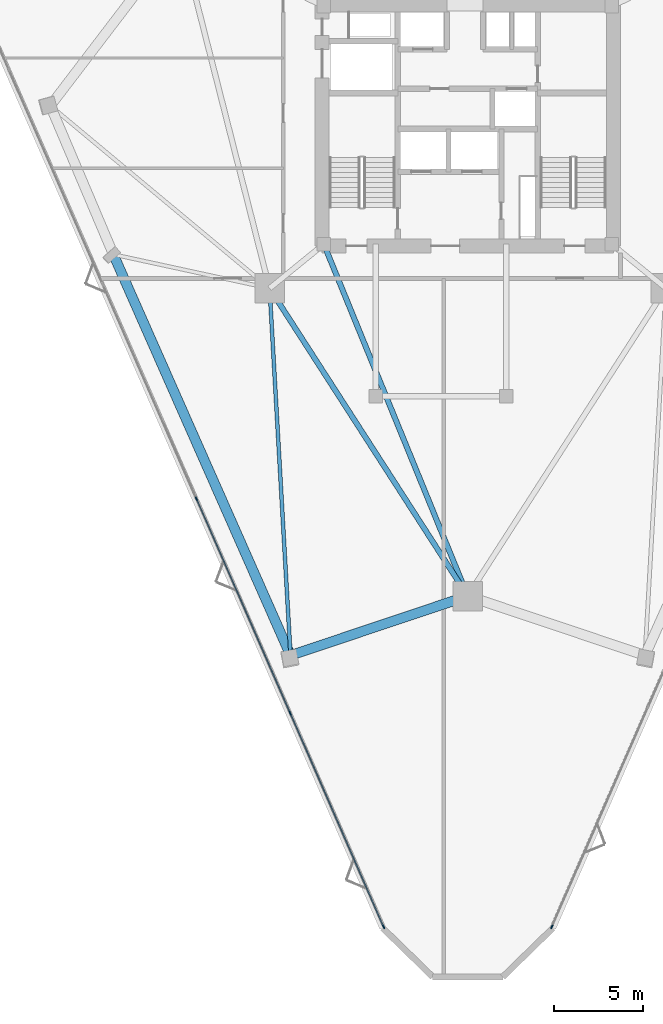
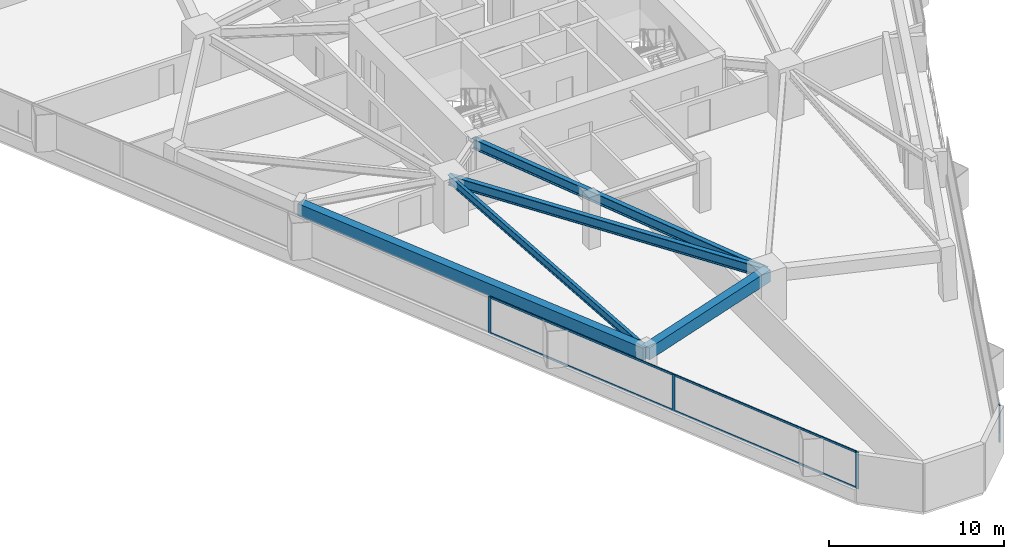
# One storey, part 2 of 14: 8 members, 5 beams, 2 elements without a shape of their own.
"""IFC4 building model written with IfcOpenShell, lengths in metres."""

import ifcopenshell
import ifcopenshell.guid

model = None  # the IFC model being written
_history = None  # IfcOwnerHistory: only IFC2X3 demands one
_inside = {}  # id of a spatial element -> (the spatial element, [elements in it])
_under = {}  # id of a project, library or spatial element -> (it, [spatial elements below it])
_declared = {}  # id of a project -> (the project, [libraries it declares])
_typed = {}  # id of a type object -> (the type object, [elements of that type])
_made_of = {}  # id of a material, layer set ... -> (it, [elements and type objects made of it])


def new_model(schema):
    """Start an empty IFC model of exactly this schema.

    Asked for "IFC4X3", IfcOpenShell would pick the latest addendum, in which some entities
    have other attributes; the version numbers below select the first issue.
    IFC2X3 requires an IfcOwnerHistory on every rooted entity: one is made here for all.
    """
    global model, _history
    if schema == "IFC4X3":
        model = ifcopenshell.file(schema_version=(4, 3, 0, 0))
    else:
        model = ifcopenshell.file(schema=schema)
    _inside.clear()
    _under.clear()
    _declared.clear()
    _typed.clear()
    _made_of.clear()
    _history = None
    if model.schema == "IFC2X3":
        org = make("IfcOrganization", Name="unknown")
        user = make(
            "IfcPersonAndOrganization",
            ThePerson=make("IfcPerson", FamilyName="unknown"),
            TheOrganization=org,
        )
        app = make(
            "IfcApplication",
            ApplicationDeveloper=org,
            Version="unknown",
            ApplicationFullName="unknown",
            ApplicationIdentifier="unknown",
        )
        _history = make(
            "IfcOwnerHistory",
            OwningUser=user,
            OwningApplication=app,
            ChangeAction="ADDED",
            CreationDate=0,
        )
    return model


def make(cls, **values):
    """One entity of the class cls with the attributes given. An attribute that is None is left unset."""
    return model.create_entity(
        cls, **{name: value for name, value in values.items() if value is not None}
    )


def rooted(cls, **values):
    """An entity with a GlobalId (a new one), such as an element, a storey or a relation."""
    return make(cls, GlobalId=ifcopenshell.guid.new(), OwnerHistory=_history, **values)


def si_unit(unit_type, name, prefix=None):
    """IfcSIUnit, for example si_unit("LENGTHUNIT", "METRE", prefix="MILLI")."""
    return make("IfcSIUnit", UnitType=unit_type, Prefix=prefix, Name=name)


def assignment(units):
    """IfcUnitAssignment: the units of a project."""
    return None if units is None else make("IfcUnitAssignment", Units=units)


def point(xyz):
    """IfcCartesianPoint."""
    return None if xyz is None else make("IfcCartesianPoint", Coordinates=xyz)


def direction(xyz):
    """IfcDirection."""
    return None if xyz is None else make("IfcDirection", DirectionRatios=xyz)


def frame(location, z_axis=None, x_axis=None):
    """IfcAxis2Placement3D, a coordinate frame: its origin and axes. An axis left out is left unset."""
    return make(
        "IfcAxis2Placement3D",
        Location=point(location),
        Axis=direction(z_axis),
        RefDirection=direction(x_axis),
    )


def frame_2d(location, x_axis=None):
    """IfcAxis2Placement2D, a coordinate frame in the plane: its origin and x axis."""
    return make(
        "IfcAxis2Placement2D", Location=point(location), RefDirection=direction(x_axis)
    )


def origin():
    """The frame at (0, 0, 0) with its axes left unset."""
    return frame((0.0, 0.0, 0.0))


def origin_2d():
    """The frame at (0, 0) in the plane with its x axis left unset."""
    return frame_2d((0.0, 0.0))


def place(relative_to, where):
    """IfcLocalPlacement: puts the frame where relative to a parent placement (None: the world)."""
    return make(
        "IfcLocalPlacement", PlacementRelTo=relative_to, RelativePlacement=where
    )


def context(
    kind, dimensions, precision=None, world=None, true_north=None, identifier=None
):
    """IfcGeometricRepresentationContext, for example the 3D "Model" context."""
    return make(
        "IfcGeometricRepresentationContext",
        ContextIdentifier=identifier,
        ContextType=kind,
        CoordinateSpaceDimension=dimensions,
        Precision=precision,
        WorldCoordinateSystem=world,
        TrueNorth=true_north,
    )


def subcontext(parent, identifier, kind, view, scale=None):
    """IfcGeometricRepresentationSubContext, for example "Body" below "Model"."""
    return make(
        "IfcGeometricRepresentationSubContext",
        ContextIdentifier=identifier,
        ContextType=kind,
        ParentContext=parent,
        TargetScale=scale,
        TargetView=view,
    )


def project(units=None, contexts=None):
    """IfcProject with its units and contexts."""
    return rooted(
        "IfcProject",
        Name="project",
        RepresentationContexts=contexts,
        UnitsInContext=assignment(units),
    )


def spatial(cls, under=None, at=None, **own):
    """A site, building, storey or space (cls), placed at a placement, below another one or the project."""
    s = rooted(cls, ObjectPlacement=at, **own)
    if under is not None:
        _under.setdefault(under.id(), (under, []))[1].append(s)
    return s


def profile(cls, at=None, kind="AREA", **sizes):
    """A parametric profile (cls). Its sizes go by their IFC names, for example OverallWidth=200.0."""
    return make(cls, ProfileType=kind, Position=at, **sizes)


def rectangle(**sizes):
    """IfcRectangleProfileDef."""
    return profile("IfcRectangleProfileDef", **sizes)


def i_section(**sizes):
    """IfcIShapeProfileDef."""
    return profile("IfcIShapeProfileDef", **sizes)


def extrude(swept, where, along, depth):
    """IfcExtrudedAreaSolid: the profile swept, set in the frame where, extruded along a direction by depth."""
    return make(
        "IfcExtrudedAreaSolid",
        SweptArea=swept,
        Position=where,
        ExtrudedDirection=direction(along),
        Depth=depth,
    )


def shape(context_of_items, identifier, shape_type, items):
    """IfcShapeRepresentation: the items that make up one representation, for example the "Body"."""
    return make(
        "IfcShapeRepresentation",
        ContextOfItems=context_of_items,
        RepresentationIdentifier=identifier,
        RepresentationType=shape_type,
        Items=items,
    )


def material(Name=None, Category=None):
    """IfcMaterial."""
    return make("IfcMaterial", Name=Name, Category=Category)


def layer(
    of_material, thickness, ventilated=None, Name=None, Category=None, Priority=None
):
    """IfcMaterialLayer: one layer of a wall or slab, of a material (None: an air gap)."""
    return make(
        "IfcMaterialLayer",
        Material=of_material,
        LayerThickness=thickness,
        IsVentilated=ventilated,
        Name=Name,
        Category=Category,
        Priority=Priority,
    )


def layer_set(layers, Name=None):
    """IfcMaterialLayerSet."""
    return make("IfcMaterialLayerSet", MaterialLayers=layers, LayerSetName=Name)


def material_profile(
    of_material, cross_section, Name=None, Category=None, Priority=None
):
    """IfcMaterialProfile: a cross section and its material."""
    return make(
        "IfcMaterialProfile",
        Name=Name,
        Material=of_material,
        Profile=cross_section,
        Priority=Priority,
        Category=Category,
    )


def profile_set(profiles, Name=None, composite=None):
    """IfcMaterialProfileSet."""
    return make(
        "IfcMaterialProfileSet",
        Name=Name,
        MaterialProfiles=profiles,
        CompositeProfile=composite,
    )


def made_of(thing, what):
    """Note that an element or type object is made of a material, layer set ...; save() writes the relation."""
    if what is not None:
        _made_of.setdefault(what.id(), (what, []))[1].append(thing)
    return thing


def type_object(cls, material=None, **own):
    """A type object (cls), such as IfcWallType, which elements share."""
    return made_of(rooted(cls, **own), material)


def element(
    cls,
    number,
    at=None,
    inside=None,
    cuts=None,
    type_object=None,
    material=None,
    context=None,
    identifier="Body",
    shape_type=None,
    held_by="IfcProductDefinitionShape",
    body=None,
    shapes=None,
    **own,
):
    """One element of the class cls, such as IfcWall. Its Tag is "e" and its number.

    at: its placement. inside: the storey or other place that contains it. cuts: it is an
    opening in that element (IfcRelVoidsElement). A single representation is given by context,
    identifier, shape_type and body (its items); several are given by shapes. held_by: the class
    of the entity that holds the representations. save() writes the other relations.
    """
    e = rooted(cls, Tag="e%d" % number, ObjectPlacement=at, **own)
    if body is not None:
        shapes = [shape(context, identifier, shape_type, body)]
    if shapes is not None:
        e.Representation = make(held_by, Representations=shapes)
    if inside is not None:
        _inside.setdefault(inside.id(), (inside, []))[1].append(e)
    if cuts is not None:
        rooted(
            "IfcRelVoidsElement", RelatingBuildingElement=cuts, RelatedOpeningElement=e
        )
    if type_object is not None:
        _typed.setdefault(type_object.id(), (type_object, []))[1].append(e)
    return made_of(e, material)


def aggregate(whole, parts):
    """IfcRelAggregates: a whole, such as a stair, and the parts it consists of."""
    return rooted("IfcRelAggregates", RelatingObject=whole, RelatedObjects=parts)


def save(model, path):
    """Write the relations noted so far, then the file.

    IfcRelAggregates (storeys below a building ...), IfcRelContainedInSpatialStructure (elements
    in a storey), IfcRelDefinesByType, IfcRelAssociatesMaterial and IfcRelDeclares: one each for
    every whole, place, type object, material and project.
    """
    for whole, parts in _under.values():
        aggregate(whole, parts)
    for where, things in _inside.values():
        rooted(
            "IfcRelContainedInSpatialStructure",
            RelatedElements=things,
            RelatingStructure=where,
        )
    for kind, things in _typed.values():
        rooted("IfcRelDefinesByType", RelatedObjects=things, RelatingType=kind)
    for what, things in _made_of.values():
        rooted("IfcRelAssociatesMaterial", RelatedObjects=things, RelatingMaterial=what)
    for by, libraries in _declared.values():
        rooted("IfcRelDeclares", RelatingContext=by, RelatedDefinitions=libraries)
    model.write(path)


model = new_model("IFC4")

# Units and contexts
model_context = context("Model", 3, precision=1e-05, world=origin(), true_north=direction((0.0, 1.0)))
body_context = subcontext(model_context, "Body", "Model", "MODEL_VIEW")
ifc_project = project(units=[si_unit("LENGTHUNIT", "METRE"), si_unit("AREAUNIT", "SQUARE_METRE"), si_unit("VOLUMEUNIT", "CUBIC_METRE"), si_unit("PLANEANGLEUNIT", "RADIAN"), si_unit("MASSUNIT", "GRAM", prefix="KILO")], contexts=[model_context])

# Site, building, storey
site_placement = place(None, origin())
site = spatial("IfcSite", under=ifc_project, at=site_placement, CompositionType="ELEMENT")
building_placement = place(site_placement, origin())
building = spatial("IfcBuilding", under=site, at=building_placement, Name="Talyreon Biosciences Tower", CompositionType="ELEMENT")
storey_placement = place(building_placement, frame((0.0, 0.0, 96.89990234375)))
storey = spatial("IfcBuildingStorey", under=building, at=storey_placement, Name="L25", CompositionType="ELEMENT", Elevation=96.89990234375)

# Curtain wall, member
ifc_material_1 = material(Name="Thermally broken aluminium and low-E glazing", Category="aluminium")
ifc_layer = layer(ifc_material_1, 0.205078125)
ifc_layer_set = layer_set([ifc_layer], Name="Thermally broken aluminium and low-E glazing")
curtain_wall_type = type_object("IfcCurtainWallType", Name="CurtainWall_SkyGardenLoggia", PredefinedType="NOTDEFINED", material=ifc_layer_set)
curtain_wall_1_placement = place(storey_placement, origin())
curtain_wall_1 = element("IfcCurtainWall", 1, at=curtain_wall_1_placement, inside=storey, type_object=curtain_wall_type, Name="L25 Unitised Curtain Wall FCW-L25-11", PredefinedType="NOTDEFINED")
ifc_material_2 = material(Name="Anodised thermally broken aluminium", Category="aluminium")
ifc_material_profile_1 = material_profile(ifc_material_2, rectangle(XDim=0.074951171875, YDim=0.2099609375, at=origin_2d()), Name="ALUM MULLION 75x210")
ifc_profile_set_1 = profile_set([ifc_material_profile_1], Name="Anodised thermally broken aluminium")
member_type_1 = type_object("IfcMemberType", Name="CWMullion_75x210", PredefinedType="MULLION", material=ifc_profile_set_1)
member_1_placement = place(storey_placement, frame((70.706298828125, 23.157958984375, 0.81005859375), z_axis=(0.0, 0.0, 1.0), x_axis=(0.916278652773, -0.400541421669, 0.0)))
member_1 = element("IfcMember", 2, at=member_1_placement, type_object=member_type_1, Name="CW7 mullion 3", PredefinedType="MULLION", context=body_context, shape_type="SweptSolid", body=[
    extrude(rectangle(XDim=0.074951171875, YDim=0.2099609375, at=origin_2d()), origin(), (0.0, 0.0, 1.0), 2.56494140625),
])
aggregate(curtain_wall_1, [member_1])

# Curtain wall, members
curtain_wall_2_placement = place(storey_placement, origin())
curtain_wall_2 = element("IfcCurtainWall", 3, at=curtain_wall_2_placement, inside=storey, type_object=curtain_wall_type, Name="L25 Unitised Curtain Wall FCW-L25-15", PredefinedType="NOTDEFINED")
member_2_placement = place(storey_placement, frame((61.293701171875, 23.157958984375, 0.81005859375), z_axis=(0.0, 0.0, 1.0), x_axis=(-0.916278218967, -0.400542414041, 0.0)))
member_2 = element("IfcMember", 4, at=member_2_placement, type_object=member_type_1, Name="CW7 mullion 1", PredefinedType="MULLION", context=body_context, shape_type="SweptSolid", body=[
    extrude(rectangle(XDim=0.074951171875, YDim=0.2099609375, at=origin_2d()), origin(), (0.0, 0.0, 1.0), 2.56494140625),
])
member_3_placement = place(storey_placement, frame((56.06494140625, 35.119384765625, 0.81005859375), z_axis=(0.0, 0.0, 1.0), x_axis=(-0.916278218967, -0.400542414041, 0.0)))
member_3 = element("IfcMember", 5, at=member_3_placement, type_object=member_type_1, Name="CW7 mullion 2", PredefinedType="MULLION", context=body_context, shape_type="SweptSolid", body=[
    extrude(rectangle(XDim=0.074951171875, YDim=0.2099609375, at=origin_2d()), origin(), (0.0, 0.0, 1.0), 2.56494140625),
])
member_4_placement = place(storey_placement, frame((50.821044921875, 47.115234375, 0.81005859375), z_axis=(0.0, 0.0, 1.0), x_axis=(-0.916278218967, -0.400542414041, 0.0)))
member_4 = element("IfcMember", 6, at=member_4_placement, type_object=member_type_1, Name="CW7 mullion 3", PredefinedType="MULLION", context=body_context, shape_type="SweptSolid", body=[
    extrude(rectangle(XDim=0.074951171875, YDim=0.2099609375, at=origin_2d()), origin(), (0.0, 0.0, 1.0), 2.56494140625),
])
ifc_material_profile_2 = material_profile(ifc_material_2, rectangle(XDim=0.06494140625, YDim=0.139892578125, at=origin_2d()), Name="ALUM TRANSOM 65x140")
ifc_profile_set_2 = profile_set([ifc_material_profile_2], Name="Anodised thermally broken aluminium")
member_type_2 = type_object("IfcMemberType", Name="CWTransom_65x140", PredefinedType="USERDEFINED", material=ifc_profile_set_2)
member_5_placement = place(storey_placement, frame((61.278564453125, 23.192138671875, 0.842529296875), z_axis=(-0.40053561964, 0.916281189046, 0.0), x_axis=(-0.916281189046, -0.40053561964, 0.0)))
member_5 = element("IfcMember", 7, at=member_5_placement, type_object=member_type_2, Name="CW7 transom 1.1", ObjectType="TRANSOM", PredefinedType="USERDEFINED", context=body_context, shape_type="SweptSolid", body=[
    extrude(rectangle(XDim=0.06494140625, YDim=0.139892578125, at=origin_2d()), origin(), (0.0, 0.0, 1.0), 12.9794921875),
])
member_6_placement = place(storey_placement, frame((61.278564453125, 23.192138671875, 3.342529296875), z_axis=(-0.40053561964, 0.916281189046, 0.0), x_axis=(-0.916281189046, -0.40053561964, 0.0)))
member_6 = element("IfcMember", 8, at=member_6_placement, type_object=member_type_2, Name="CW7 transom 1.2", ObjectType="TRANSOM", PredefinedType="USERDEFINED", context=body_context, shape_type="SweptSolid", body=[
    extrude(rectangle(XDim=0.06494140625, YDim=0.139892578125, at=origin_2d()), origin(), (0.0, 0.0, 1.0), 12.9794921875),
])
member_7_placement = place(storey_placement, frame((56.0498046875, 35.153564453125, 0.842529296875), z_axis=(-0.400541357987, 0.916278680611, 0.0), x_axis=(-0.916278680611, -0.400541357987, 0.0)))
member_7 = element("IfcMember", 9, at=member_7_placement, type_object=member_type_2, Name="CW7 transom 2.1", ObjectType="TRANSOM", PredefinedType="USERDEFINED", context=body_context, shape_type="SweptSolid", body=[
    extrude(rectangle(XDim=0.06494140625, YDim=0.139892578125, at=origin_2d()), origin(), (0.0, 0.0, 1.0), 13.01708984375),
])
member_8_placement = place(storey_placement, frame((56.0498046875, 35.153564453125, 3.342529296875), z_axis=(-0.400541357987, 0.916278680611, 0.0), x_axis=(-0.916278680611, -0.400541357987, 0.0)))
member_8 = element("IfcMember", 10, at=member_8_placement, type_object=member_type_2, Name="CW7 transom 2.2", ObjectType="TRANSOM", PredefinedType="USERDEFINED", context=body_context, shape_type="SweptSolid", body=[
    extrude(rectangle(XDim=0.06494140625, YDim=0.139892578125, at=origin_2d()), origin(), (0.0, 0.0, 1.0), 13.01708984375),
])
aggregate(curtain_wall_2, [member_2, member_3, member_4, member_5, member_6, member_7, member_8])

# Beams
ifc_material_3 = material(Name="Precast concrete C45/55", Category="concrete")
ifc_material_profile_3 = material_profile(ifc_material_3, rectangle(XDim=0.550048828125, YDim=0.85009765625, at=origin_2d()), Name="RCB 550x850")
ifc_profile_set_3 = profile_set([ifc_material_profile_3], Name="Precast concrete C45/55")
beam_type_1 = type_object("IfcBeamType", Name="ExpressedSpandrel_550x850", PredefinedType="SPANDREL", material=ifc_profile_set_3)
beam_1_placement = place(storey_placement, frame((46.175048828125, 60.77587890625, 2.9501953125), z_axis=(0.404170046798, -0.914683865208, 0.0), x_axis=(0.914683865208, 0.404170046798, 0.0)))
element("IfcBeam", 11, at=beam_1_placement, inside=storey, type_object=beam_type_1, Name="L25 Expressed Horizontal Concrete Spandrel 11", PredefinedType="SPANDREL", context=body_context, shape_type="SweptSolid", body=[
    extrude(rectangle(XDim=0.550048828125, YDim=0.85009765625, at=origin_2d()), origin(), (0.0, 0.0, 1.0), 24.5234375),
])
beam_2_placement = place(storey_placement, frame((56.086669921875, 38.3447265625, 2.9501953125), z_axis=(0.948170668872, 0.317761518582, 0.0), x_axis=(-0.317761518582, 0.948170668872, 0.0)))
element("IfcBeam", 12, at=beam_2_placement, inside=storey, type_object=beam_type_1, Name="L25 Expressed Horizontal Concrete Spandrel 12", PredefinedType="SPANDREL", context=body_context, shape_type="SweptSolid", body=[
    extrude(rectangle(XDim=0.550048828125, YDim=0.85009765625, at=origin_2d()), origin(), (0.0, 0.0, 1.0), 10.455322265625),
])
ifc_material_4 = material(Name="Steel SM355", Category="steel")
ifc_material_profile_4 = material_profile(ifc_material_4, i_section(OverallWidth=0.300048828125, OverallDepth=0.699951171875, WebThickness=0.01708984375, FlangeThickness=0.031982421875, FilletRadius=0.027099609375, at=origin_2d()), Name="HE700B")
ifc_profile_set_4 = profile_set([ifc_material_profile_4], Name="Steel SM355")
beam_type_2 = type_object("IfcBeamType", Name="SteelGirder_HE700B", PredefinedType="BEAM", material=ifc_profile_set_4)
beam_3_placement = place(storey_placement, frame((54.913818359375, 58.88037109375, 3.025146484375), z_axis=(0.541463723609, -0.840724114092, 0.0), x_axis=(0.840724114092, 0.541463723609, 0.0)))
element("IfcBeam", 13, at=beam_3_placement, inside=storey, type_object=beam_type_2, Name="L25 Mega-Ring Girder 6", PredefinedType="BEAM", context=body_context, shape_type="SweptSolid", body=[
    extrude(i_section(OverallWidth=0.300048828125, OverallDepth=0.699951171875, WebThickness=0.01708984375, FlangeThickness=0.031982421875, FilletRadius=0.027099609375, at=origin_2d()), origin(), (0.0, 0.0, 1.0), 20.474365234375),
])
beam_4_placement = place(storey_placement, frame((57.949951171875, 61.35009765625, 3.025146484375), z_axis=(0.378547014545, -0.925582064314, 0.0), x_axis=(0.925582064314, 0.378547014545, 0.0)))
element("IfcBeam", 14, at=beam_4_placement, inside=storey, type_object=beam_type_2, Name="L25 Radial Primary Girder 1", PredefinedType="BEAM", context=body_context, shape_type="SweptSolid", body=[
    extrude(i_section(OverallWidth=0.300048828125, OverallDepth=0.699951171875, WebThickness=0.01708984375, FlangeThickness=0.031982421875, FilletRadius=0.027099609375, at=origin_2d()), origin(), (0.0, 0.0, 1.0), 21.265625),
])
ifc_material_profile_5 = material_profile(ifc_material_4, i_section(OverallWidth=0.2099609375, OverallDepth=0.550048828125, WebThickness=0.010986328125, FlangeThickness=0.01708984375, FilletRadius=0.02392578125, at=origin_2d()), Name="IPE550")
ifc_profile_set_5 = profile_set([ifc_material_profile_5], Name="Steel SM355")
beam_type_3 = type_object("IfcBeamType", Name="SteelJoist_IPE550", PredefinedType="JOIST", material=ifc_profile_set_5)
beam_5_placement = place(storey_placement, frame((54.913818359375, 58.88037109375, 3.10009765625), z_axis=(0.057020044868, -0.998373033732, 0.0), x_axis=(0.998373033732, 0.057020044868, 0.0)))
element("IfcBeam", 15, at=beam_5_placement, inside=storey, type_object=beam_type_3, Name="L25 Radial Composite Floor Joist PC-SW2", PredefinedType="JOIST", context=body_context, shape_type="SweptSolid", body=[
    extrude(i_section(OverallWidth=0.2099609375, OverallDepth=0.550048828125, WebThickness=0.010986328125, FlangeThickness=0.01708984375, FilletRadius=0.02392578125, at=origin_2d()), origin(), (0.0, 0.0, 1.0), 20.569091796875),
])

save(model, "model.ifc")
